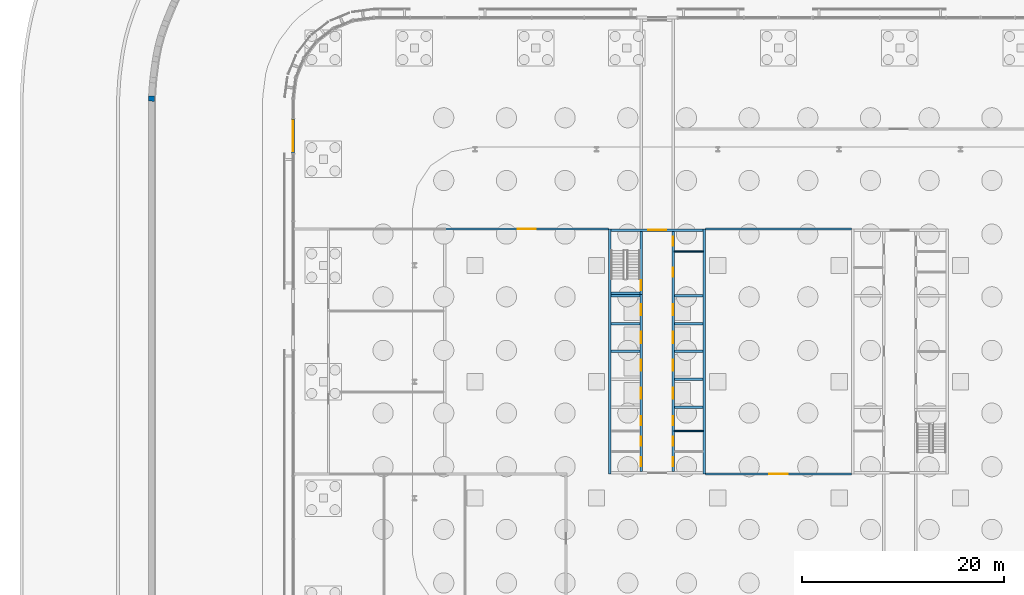
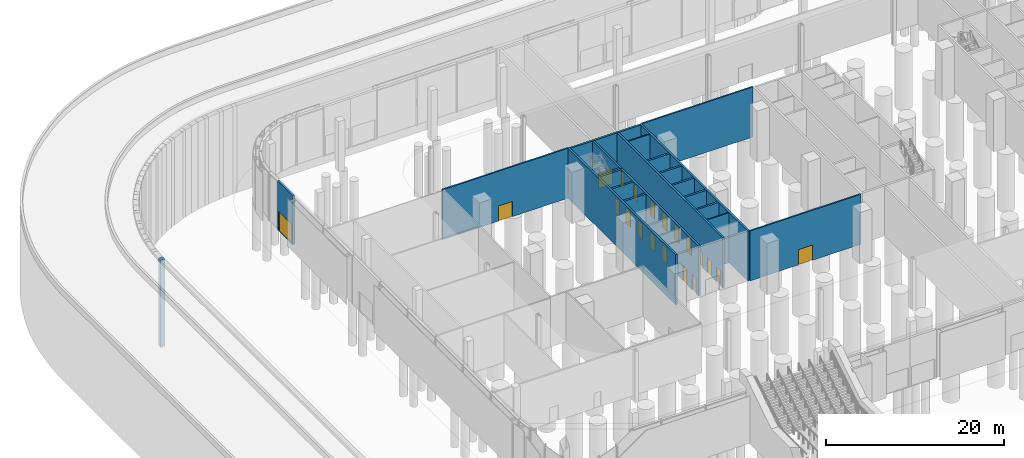
# One storey, part 25 of 48: 22 walls, 21 doors, 21 openings.
"""IFC4 building model written with IfcOpenShell, lengths in metres."""

from ifc_helpers import new_model, si_unit, direction, frame, frame_2d, origin, place, context, subcontext, project, spatial, rectangle, extrude, material, layer, layer_set, type_object, element, fill, save


model = new_model("IFC4")

# Units and contexts
model_context = context("Model", 3, precision=1e-05, world=origin(), true_north=direction((0.0, 1.0)))
body_context = subcontext(model_context, "Body", "Model", "MODEL_VIEW")
ifc_project = project(units=[si_unit("LENGTHUNIT", "METRE"), si_unit("AREAUNIT", "SQUARE_METRE"), si_unit("VOLUMEUNIT", "CUBIC_METRE"), si_unit("PLANEANGLEUNIT", "RADIAN"), si_unit("MASSUNIT", "GRAM", prefix="KILO")], contexts=[model_context])

# Site, building, storey
site_placement = place(None, origin())
site = spatial("IfcSite", under=ifc_project, at=site_placement, CompositionType="ELEMENT")
building_placement = place(site_placement, origin())
building = spatial("IfcBuilding", under=site, at=building_placement, Name="Mahtab Terrace Research Tower", CompositionType="ELEMENT")
storey_placement = place(building_placement, origin())
storey = spatial("IfcBuildingStorey", under=building, at=storey_placement, Name="G", CompositionType="ELEMENT", Elevation=0.0)

# Walls
ifc_material_1 = material(Name="Gypsum board partition")
ifc_layer_1 = layer(ifc_material_1, 0.14990234375)
ifc_layer_set_1 = layer_set([ifc_layer_1], Name="Core partition 150")
wall_type_1 = type_object("IfcWallType", Name="Core partition 150", PredefinedType="PARTITIONING", material=ifc_layer_set_1)
for number, where, z_axis, x_axis, name in (
    (1, (-22.300048828125, -4.875, 0.0), (0.0, 0.0, 1.0), (1.0, 0.0, 0.0), "Core wall A pES-788"),
    (2, (-22.300048828125, 12.875, 0.0), (0.0, 0.0, 1.0), (1.0, 0.0, 0.0), "Core wall A pEN988"),
):
    element("IfcWall", number, at=place(storey_placement, frame(where, z_axis=z_axis, x_axis=x_axis)), inside=storey, type_object=wall_type_1, Name=name, PredefinedType="PARTITIONING", context=body_context, shape_type="SweptSolid", body=[
        extrude(rectangle(XDim=2.85009765625, YDim=0.14990234375, at=frame_2d((1.425048828125, 0.0))), origin(), (0.0, 0.0, 1.0), 6.860107421875),
    ])
ifc_material_2 = material(Name="Concrete C70/85", Category="concrete")
ifc_layer_2 = layer(ifc_material_2, 0.25)
ifc_layer_set_2 = layer_set([ifc_layer_2], Name="Core wall 250")
wall_type_2 = type_object("IfcWallType", Name="Core wall 250", PredefinedType="SOLIDWALL", material=ifc_layer_set_2)
for number, where, z_axis, x_axis, name in (
    (3, (-28.675048828125, 15.125, 0.0), (0.0, 0.0, 1.0), (0.0, -1.0, 0.0), "Core wall A outerW"),
    (4, (-19.324951171875, -9.125, 0.0), (0.0, 0.0, 1.0), (0.0, 1.0, 0.0), "Core wall A outerE"),
):
    element("IfcWall", number, at=place(storey_placement, frame(where, z_axis=z_axis, x_axis=x_axis)), inside=storey, type_object=wall_type_2, Name=name, PredefinedType="SOLIDWALL", context=body_context, shape_type="SweptSolid", body=[
        extrude(rectangle(XDim=24.25, YDim=0.25, at=frame_2d((12.125, 0.0))), origin(), (0.0, 0.0, 1.0), 6.860107421875),
    ])

# Wall, opening, door
wall_1_placement = place(storey_placement, frame((-28.550048828125, 15.0, 0.0), z_axis=(0.0, 0.0, 1.0), x_axis=(1.0, 0.0, 0.0)))
wall_1 = element("IfcWall", 5, at=wall_1_placement, inside=storey, type_object=wall_type_2, Name="Core wall A endN", PredefinedType="SOLIDWALL", context=body_context, shape_type="SweptSolid", body=[
    extrude(rectangle(XDim=9.10009765625, YDim=0.25, at=frame_2d((4.550048828125, 0.0))), origin(), (0.0, 0.0, 1.0), 6.860107421875),
])
opening_1_placement = place(wall_1_placement, frame((3.64990234375, 0.0, 0.0)))
opening_1 = element("IfcOpeningElement", 6, at=opening_1_placement, cuts=wall_1, Name="Opening A-N1", PredefinedType="OPENING", context=body_context, shape_type="SweptSolid", body=[
    extrude(rectangle(XDim=1.800048828125, YDim=2.10009765625, at=frame_2d((0.89990234375, 1.050048828125))), frame((0.0, 0.135009765625, 0.0), z_axis=(0.0, -1.0, 0.0), x_axis=(1.0, 0.0, 0.0)), (0.0, 0.0, 1.0), 0.27001953125),
])
ifc_material_3 = material(Name="Steel fire door", Category="steel")
door_type_1 = type_object("IfcDoorType", Name="Lobby double door 1800x2100 1 HR", OperationType="DOUBLE_DOOR_SINGLE_SWING", PredefinedType="DOOR", material=ifc_material_3)
door_1_placement = place(opening_1_placement, origin())
door_1 = element("IfcDoor", 7, at=door_1_placement, inside=storey, type_object=door_type_1, Name="Core entrance door A N", OperationType="DOUBLE_DOOR_SINGLE_SWING", OverallHeight=2.10009765625, OverallWidth=1.800048828125, PredefinedType="DOOR", context=body_context, shape_type="SweptSolid", body=[
    extrude(rectangle(XDim=1.800048828125, YDim=2.10009765625, at=frame_2d((0.89990234375, 1.050048828125))), frame((0.0, 0.02490234375, 0.0), z_axis=(0.0, -1.0, 0.0), x_axis=(1.0, 0.0, 0.0)), (0.0, 0.0, 1.0), 0.050048828125),
])
fill(opening_1, door_1)

# Wall, openings, doors
wall_2_placement = place(storey_placement, frame((-25.574951171875, -8.875, 0.0), z_axis=(0.0, 0.0, 1.0), x_axis=(0.0, 1.0, 0.0)))
wall_2 = element("IfcWall", 8, at=wall_2_placement, inside=storey, type_object=wall_type_2, Name="Core wall A innerWSL", PredefinedType="SOLIDWALL", context=body_context, shape_type="SweptSolid", body=[
    extrude(rectangle(XDim=17.5, YDim=0.25, at=frame_2d((8.75, 0.0))), origin(), (0.0, 0.0, 1.0), 6.860107421875),
])
opening_2_placement = place(wall_2_placement, frame((7.199951171875, 0.0, 0.0)))
opening_2 = element("IfcOpeningElement", 9, at=opening_2_placement, cuts=wall_2, Name="Opening LD01-G", PredefinedType="OPENING", context=body_context, shape_type="SweptSolid", body=[
    extrude(rectangle(XDim=1.10009765625, YDim=2.10009765625, at=frame_2d((0.550048828125, 1.050048828125))), frame((0.0, 0.135009765625, 0.0), z_axis=(0.0, -1.0, 0.0), x_axis=(1.0, 0.0, 0.0)), (0.0, 0.0, 1.0), 0.27001953125),
])
opening_3_placement = place(wall_2_placement, frame((9.949951171875, 0.0, 0.0)))
opening_3 = element("IfcOpeningElement", 10, at=opening_3_placement, cuts=wall_2, Name="Opening LD02-G", PredefinedType="OPENING", context=body_context, shape_type="SweptSolid", body=[
    extrude(rectangle(XDim=1.10009765625, YDim=2.10009765625, at=frame_2d((0.550048828125, 1.050048828125))), frame((0.0, 0.135009765625, 0.0), z_axis=(0.0, -1.0, 0.0), x_axis=(1.0, 0.0, 0.0)), (0.0, 0.0, 1.0), 0.27001953125),
])
opening_4_placement = place(wall_2_placement, frame((12.699951171875, 0.0, 0.0)))
opening_4 = element("IfcOpeningElement", 11, at=opening_4_placement, cuts=wall_2, Name="Opening LD03-G", PredefinedType="OPENING", context=body_context, shape_type="SweptSolid", body=[
    extrude(rectangle(XDim=1.10009765625, YDim=2.10009765625, at=frame_2d((0.550048828125, 1.050048828125))), frame((0.0, 0.135009765625, 0.0), z_axis=(0.0, -1.0, 0.0), x_axis=(1.0, 0.0, 0.0)), (0.0, 0.0, 1.0), 0.27001953125),
])
opening_5_placement = place(wall_2_placement, frame((15.449951171875, 0.0, 0.0)))
opening_5 = element("IfcOpeningElement", 12, at=opening_5_placement, cuts=wall_2, Name="Opening LD04-G", PredefinedType="OPENING", context=body_context, shape_type="SweptSolid", body=[
    extrude(rectangle(XDim=1.10009765625, YDim=2.10009765625, at=frame_2d((0.550048828125, 1.050048828125))), frame((0.0, 0.135009765625, 0.0), z_axis=(0.0, -1.0, 0.0), x_axis=(1.0, 0.0, 0.0)), (0.0, 0.0, 1.0), 0.27001953125),
])
opening_6_placement = place(wall_2_placement, frame((0.512451171875, 0.0, 0.0)))
opening_6 = element("IfcOpeningElement", 13, at=opening_6_placement, cuts=wall_2, Name="Opening A-R1", PredefinedType="OPENING", context=body_context, shape_type="SweptSolid", body=[
    extrude(rectangle(XDim=0.89990234375, YDim=2.10009765625, at=frame_2d((0.449951171875, 1.050048828125))), frame((0.0, 0.135009765625, 0.0), z_axis=(0.0, -1.0, 0.0), x_axis=(1.0, 0.0, 0.0)), (0.0, 0.0, 1.0), 0.27001953125),
])
opening_7_placement = place(wall_2_placement, frame((2.550048828125, 0.0, 0.0)))
opening_7 = element("IfcOpeningElement", 14, at=opening_7_placement, cuts=wall_2, Name="Opening A-R2", PredefinedType="OPENING", context=body_context, shape_type="SweptSolid", body=[
    extrude(rectangle(XDim=0.89990234375, YDim=2.10009765625, at=frame_2d((0.449951171875, 1.050048828125))), frame((0.0, 0.135009765625, 0.0), z_axis=(0.0, -1.0, 0.0), x_axis=(1.0, 0.0, 0.0)), (0.0, 0.0, 1.0), 0.27001953125),
])
opening_8_placement = place(wall_2_placement, frame((4.58740234375, 0.0, 0.0)))
opening_8 = element("IfcOpeningElement", 15, at=opening_8_placement, cuts=wall_2, Name="Opening A-R3", PredefinedType="OPENING", context=body_context, shape_type="SweptSolid", body=[
    extrude(rectangle(XDim=0.89990234375, YDim=2.10009765625, at=frame_2d((0.449951171875, 1.050048828125))), frame((0.0, 0.135009765625, 0.0), z_axis=(0.0, -1.0, 0.0), x_axis=(1.0, 0.0, 0.0)), (0.0, 0.0, 1.0), 0.27001953125),
])
ifc_material_4 = material(Name="Stainless steel AISI 304", Category="steel")
door_type_2 = type_object("IfcDoorType", Name="Landing door 1100x2100", OperationType="DOUBLE_DOOR_SLIDING", PredefinedType="DOOR", material=ifc_material_4)
door_2_placement = place(opening_2_placement, origin())
door_2 = element("IfcDoor", 16, at=door_2_placement, inside=storey, type_object=door_type_2, Name="Landing door LR1 G", OperationType="DOUBLE_DOOR_SLIDING", OverallHeight=2.10009765625, OverallWidth=1.10009765625, PredefinedType="DOOR", context=body_context, shape_type="SweptSolid", body=[
    extrude(rectangle(XDim=1.10009765625, YDim=2.10009765625, at=frame_2d((0.550048828125, 1.050048828125))), frame((0.0, 0.02490234375, 0.0), z_axis=(0.0, -1.0, 0.0), x_axis=(1.0, 0.0, 0.0)), (0.0, 0.0, 1.0), 0.050048828125),
])
fill(opening_2, door_2)
door_3_placement = place(opening_3_placement, origin())
door_3 = element("IfcDoor", 17, at=door_3_placement, inside=storey, type_object=door_type_2, Name="Landing door LR2 G", OperationType="DOUBLE_DOOR_SLIDING", OverallHeight=2.10009765625, OverallWidth=1.10009765625, PredefinedType="DOOR", context=body_context, shape_type="SweptSolid", body=[
    extrude(rectangle(XDim=1.10009765625, YDim=2.10009765625, at=frame_2d((0.550048828125, 1.050048828125))), frame((0.0, 0.02490234375, 0.0), z_axis=(0.0, -1.0, 0.0), x_axis=(1.0, 0.0, 0.0)), (0.0, 0.0, 1.0), 0.050048828125),
])
fill(opening_3, door_3)
door_4_placement = place(opening_4_placement, origin())
door_4 = element("IfcDoor", 18, at=door_4_placement, inside=storey, type_object=door_type_2, Name="Landing door LR3 G", OperationType="DOUBLE_DOOR_SLIDING", OverallHeight=2.10009765625, OverallWidth=1.10009765625, PredefinedType="DOOR", context=body_context, shape_type="SweptSolid", body=[
    extrude(rectangle(XDim=1.10009765625, YDim=2.10009765625, at=frame_2d((0.550048828125, 1.050048828125))), frame((0.0, 0.02490234375, 0.0), z_axis=(0.0, -1.0, 0.0), x_axis=(1.0, 0.0, 0.0)), (0.0, 0.0, 1.0), 0.050048828125),
])
fill(opening_4, door_4)
door_5_placement = place(opening_5_placement, origin())
door_5 = element("IfcDoor", 19, at=door_5_placement, inside=storey, type_object=door_type_2, Name="Landing door LR4 G", OperationType="DOUBLE_DOOR_SLIDING", OverallHeight=2.10009765625, OverallWidth=1.10009765625, PredefinedType="DOOR", context=body_context, shape_type="SweptSolid", body=[
    extrude(rectangle(XDim=1.10009765625, YDim=2.10009765625, at=frame_2d((0.550048828125, 1.050048828125))), frame((0.0, 0.02490234375, 0.0), z_axis=(0.0, -1.0, 0.0), x_axis=(1.0, 0.0, 0.0)), (0.0, 0.0, 1.0), 0.050048828125),
])
fill(opening_5, door_5)
door_type_3 = type_object("IfcDoorType", Name="Room door 900x2100 1 HR", OperationType="NOTDEFINED", PredefinedType="DOOR", material=ifc_material_3)
door_6_placement = place(opening_6_placement, origin())
door_6 = element("IfcDoor", 20, at=door_6_placement, inside=storey, type_object=door_type_3, Name="Male WC door", OperationType="SINGLE_SWING_LEFT", OverallHeight=2.10009765625, OverallWidth=0.89990234375, PredefinedType="DOOR", context=body_context, shape_type="SweptSolid", body=[
    extrude(rectangle(XDim=0.89990234375, YDim=2.10009765625, at=frame_2d((0.449951171875, 1.050048828125))), frame((0.0, 0.02490234375, 0.0), z_axis=(0.0, -1.0, 0.0), x_axis=(1.0, 0.0, 0.0)), (0.0, 0.0, 1.0), 0.050048828125),
])
fill(opening_6, door_6)
door_7_placement = place(opening_7_placement, origin())
door_7 = element("IfcDoor", 21, at=door_7_placement, inside=storey, type_object=door_type_3, Name="Female WC door", OperationType="SINGLE_SWING_RIGHT", OverallHeight=2.10009765625, OverallWidth=0.89990234375, PredefinedType="DOOR", context=body_context, shape_type="SweptSolid", body=[
    extrude(rectangle(XDim=0.89990234375, YDim=2.10009765625, at=frame_2d((0.449951171875, 1.050048828125))), frame((0.0, 0.02490234375, 0.0), z_axis=(0.0, -1.0, 0.0), x_axis=(1.0, 0.0, 0.0)), (0.0, 0.0, 1.0), 0.050048828125),
])
fill(opening_7, door_7)
door_8_placement = place(opening_8_placement, origin())
door_8 = element("IfcDoor", 22, at=door_8_placement, inside=storey, type_object=door_type_3, Name="Accessible WC door", OperationType="SINGLE_SWING_LEFT", OverallHeight=2.10009765625, OverallWidth=0.89990234375, PredefinedType="DOOR", context=body_context, shape_type="SweptSolid", body=[
    extrude(rectangle(XDim=0.89990234375, YDim=2.10009765625, at=frame_2d((0.449951171875, 1.050048828125))), frame((0.0, 0.02490234375, 0.0), z_axis=(0.0, -1.0, 0.0), x_axis=(1.0, 0.0, 0.0)), (0.0, 0.0, 1.0), 0.050048828125),
])
fill(opening_8, door_8)

# Wall, opening, door
wall_3_placement = place(storey_placement, frame((-25.574951171875, 14.875, 0.0), z_axis=(0.0, 0.0, 1.0), x_axis=(0.0, -1.0, 0.0)))
wall_3 = element("IfcWall", 23, at=wall_3_placement, inside=storey, type_object=wall_type_2, Name="Core wall A innerWN", PredefinedType="SOLIDWALL", context=body_context, shape_type="SweptSolid", body=[
    extrude(rectangle(XDim=6.25, YDim=0.25, at=frame_2d((3.125, 0.0))), origin(), (0.0, 0.0, 1.0), 6.860107421875),
])
opening_9_placement = place(wall_3_placement, frame((4.85009765625, 0.0, 0.0)))
opening_9 = element("IfcOpeningElement", 24, at=opening_9_placement, cuts=wall_3, Name="Opening A-ST1", PredefinedType="OPENING", context=body_context, shape_type="SweptSolid", body=[
    extrude(rectangle(XDim=1.0, YDim=2.10009765625, at=frame_2d((0.5, 1.050048828125))), frame((0.0, 0.135009765625, 0.0), z_axis=(0.0, -1.0, 0.0), x_axis=(1.0, 0.0, 0.0)), (0.0, 0.0, 1.0), 0.27001953125),
])
door_type_4 = type_object("IfcDoorType", Name="Stair door 1000x2100 1.5 HR", OperationType="NOTDEFINED", PredefinedType="DOOR", material=ifc_material_3)
door_9_placement = place(opening_9_placement, origin())
door_9 = element("IfcDoor", 25, at=door_9_placement, inside=storey, type_object=door_type_4, Name="Stair door ST1 G", OperationType="SINGLE_SWING_LEFT", OverallHeight=2.10009765625, OverallWidth=1.0, PredefinedType="DOOR", context=body_context, shape_type="SweptSolid", body=[
    extrude(rectangle(XDim=1.0, YDim=2.10009765625, at=frame_2d((0.5, 1.050048828125))), frame((0.0, 0.02490234375, 0.0), z_axis=(0.0, -1.0, 0.0), x_axis=(1.0, 0.0, 0.0)), (0.0, 0.0, 1.0), 0.050048828125),
])
fill(opening_9, door_9)

# Wall, openings, doors
wall_4_placement = place(storey_placement, frame((-22.425048828125, 14.875, 0.0), z_axis=(0.0, 0.0, 1.0), x_axis=(0.0, -1.0, 0.0)))
wall_4 = element("IfcWall", 26, at=wall_4_placement, inside=storey, type_object=wall_type_2, Name="Core wall A innerESLN", PredefinedType="SOLIDWALL", context=body_context, shape_type="SweptSolid", body=[
    extrude(rectangle(XDim=23.75, YDim=0.25, at=frame_2d((11.875, 0.0))), origin(), (0.0, 0.0, 1.0), 6.860107421875),
])
opening_10_placement = place(wall_4_placement, frame((15.449951171875, 0.0, 0.0)))
opening_10 = element("IfcOpeningElement", 27, at=opening_10_placement, cuts=wall_4, Name="Opening LD05-G", PredefinedType="OPENING", context=body_context, shape_type="SweptSolid", body=[
    extrude(rectangle(XDim=1.10009765625, YDim=2.10009765625, at=frame_2d((0.550048828125, 1.050048828125))), frame((0.0, 0.135009765625, 0.0), z_axis=(0.0, -1.0, 0.0), x_axis=(1.0, 0.0, 0.0)), (0.0, 0.0, 1.0), 0.27001953125),
])
opening_11_placement = place(wall_4_placement, frame((12.699951171875, 0.0, 0.0)))
opening_11 = element("IfcOpeningElement", 28, at=opening_11_placement, cuts=wall_4, Name="Opening LD06-G", PredefinedType="OPENING", context=body_context, shape_type="SweptSolid", body=[
    extrude(rectangle(XDim=1.10009765625, YDim=2.10009765625, at=frame_2d((0.550048828125, 1.050048828125))), frame((0.0, 0.135009765625, 0.0), z_axis=(0.0, -1.0, 0.0), x_axis=(1.0, 0.0, 0.0)), (0.0, 0.0, 1.0), 0.27001953125),
])
opening_12_placement = place(wall_4_placement, frame((9.949951171875, 0.0, 0.0)))
opening_12 = element("IfcOpeningElement", 29, at=opening_12_placement, cuts=wall_4, Name="Opening LD07-G", PredefinedType="OPENING", context=body_context, shape_type="SweptSolid", body=[
    extrude(rectangle(XDim=1.10009765625, YDim=2.10009765625, at=frame_2d((0.550048828125, 1.050048828125))), frame((0.0, 0.135009765625, 0.0), z_axis=(0.0, -1.0, 0.0), x_axis=(1.0, 0.0, 0.0)), (0.0, 0.0, 1.0), 0.27001953125),
])
opening_13_placement = place(wall_4_placement, frame((7.199951171875, 0.0, 0.0)))
opening_13 = element("IfcOpeningElement", 30, at=opening_13_placement, cuts=wall_4, Name="Opening LD08-G", PredefinedType="OPENING", context=body_context, shape_type="SweptSolid", body=[
    extrude(rectangle(XDim=1.10009765625, YDim=2.10009765625, at=frame_2d((0.550048828125, 1.050048828125))), frame((0.0, 0.135009765625, 0.0), z_axis=(0.0, -1.0, 0.0), x_axis=(1.0, 0.0, 0.0)), (0.0, 0.0, 1.0), 0.27001953125),
])
opening_14_placement = place(wall_4_placement, frame((22.33740234375, 0.0, 0.0)))
opening_14 = element("IfcOpeningElement", 31, at=opening_14_placement, cuts=wall_4, Name="Opening A-R4", PredefinedType="OPENING", context=body_context, shape_type="SweptSolid", body=[
    extrude(rectangle(XDim=0.89990234375, YDim=2.10009765625, at=frame_2d((0.449951171875, 1.050048828125))), frame((0.0, 0.135009765625, 0.0), z_axis=(0.0, -1.0, 0.0), x_axis=(1.0, 0.0, 0.0)), (0.0, 0.0, 1.0), 0.27001953125),
])
opening_15_placement = place(wall_4_placement, frame((20.300048828125, 0.0, 0.0)))
opening_15 = element("IfcOpeningElement", 32, at=opening_15_placement, cuts=wall_4, Name="Opening A-R5", PredefinedType="OPENING", context=body_context, shape_type="SweptSolid", body=[
    extrude(rectangle(XDim=0.89990234375, YDim=2.10009765625, at=frame_2d((0.449951171875, 1.050048828125))), frame((0.0, 0.135009765625, 0.0), z_axis=(0.0, -1.0, 0.0), x_axis=(1.0, 0.0, 0.0)), (0.0, 0.0, 1.0), 0.27001953125),
])
opening_16_placement = place(wall_4_placement, frame((18.262451171875, 0.0, 0.0)))
opening_16 = element("IfcOpeningElement", 33, at=opening_16_placement, cuts=wall_4, Name="Opening A-R6", PredefinedType="OPENING", context=body_context, shape_type="SweptSolid", body=[
    extrude(rectangle(XDim=0.89990234375, YDim=2.10009765625, at=frame_2d((0.449951171875, 1.050048828125))), frame((0.0, 0.135009765625, 0.0), z_axis=(0.0, -1.0, 0.0), x_axis=(1.0, 0.0, 0.0)), (0.0, 0.0, 1.0), 0.27001953125),
])
opening_17_placement = place(wall_4_placement, frame((3.58740234375, 0.0, 0.0)))
opening_17 = element("IfcOpeningElement", 34, at=opening_17_placement, cuts=wall_4, Name="Opening A-R7", PredefinedType="OPENING", context=body_context, shape_type="SweptSolid", body=[
    extrude(rectangle(XDim=0.89990234375, YDim=2.10009765625, at=frame_2d((0.449951171875, 1.050048828125))), frame((0.0, 0.135009765625, 0.0), z_axis=(0.0, -1.0, 0.0), x_axis=(1.0, 0.0, 0.0)), (0.0, 0.0, 1.0), 0.27001953125),
])
opening_18_placement = place(wall_4_placement, frame((0.512451171875, 0.0, 0.0)))
opening_18 = element("IfcOpeningElement", 35, at=opening_18_placement, cuts=wall_4, Name="Opening A-R8", PredefinedType="OPENING", context=body_context, shape_type="SweptSolid", body=[
    extrude(rectangle(XDim=0.89990234375, YDim=2.10009765625, at=frame_2d((0.449951171875, 1.050048828125))), frame((0.0, 0.135009765625, 0.0), z_axis=(0.0, -1.0, 0.0), x_axis=(1.0, 0.0, 0.0)), (0.0, 0.0, 1.0), 0.27001953125),
])
door_10_placement = place(opening_10_placement, origin())
door_10 = element("IfcDoor", 36, at=door_10_placement, inside=storey, type_object=door_type_2, Name="Landing door LR5 G", OperationType="DOUBLE_DOOR_SLIDING", OverallHeight=2.10009765625, OverallWidth=1.10009765625, PredefinedType="DOOR", context=body_context, shape_type="SweptSolid", body=[
    extrude(rectangle(XDim=1.10009765625, YDim=2.10009765625, at=frame_2d((0.550048828125, 1.050048828125))), frame((0.0, 0.02490234375, 0.0), z_axis=(0.0, -1.0, 0.0), x_axis=(1.0, 0.0, 0.0)), (0.0, 0.0, 1.0), 0.050048828125),
])
fill(opening_10, door_10)
door_11_placement = place(opening_11_placement, origin())
door_11 = element("IfcDoor", 37, at=door_11_placement, inside=storey, type_object=door_type_2, Name="Landing door LR6 G", OperationType="DOUBLE_DOOR_SLIDING", OverallHeight=2.10009765625, OverallWidth=1.10009765625, PredefinedType="DOOR", context=body_context, shape_type="SweptSolid", body=[
    extrude(rectangle(XDim=1.10009765625, YDim=2.10009765625, at=frame_2d((0.550048828125, 1.050048828125))), frame((0.0, 0.02490234375, 0.0), z_axis=(0.0, -1.0, 0.0), x_axis=(1.0, 0.0, 0.0)), (0.0, 0.0, 1.0), 0.050048828125),
])
fill(opening_11, door_11)
door_12_placement = place(opening_12_placement, origin())
door_12 = element("IfcDoor", 38, at=door_12_placement, inside=storey, type_object=door_type_2, Name="Landing door SH1 G", OperationType="DOUBLE_DOOR_SLIDING", OverallHeight=2.10009765625, OverallWidth=1.10009765625, PredefinedType="DOOR", context=body_context, shape_type="SweptSolid", body=[
    extrude(rectangle(XDim=1.10009765625, YDim=2.10009765625, at=frame_2d((0.550048828125, 1.050048828125))), frame((0.0, 0.02490234375, 0.0), z_axis=(0.0, -1.0, 0.0), x_axis=(1.0, 0.0, 0.0)), (0.0, 0.0, 1.0), 0.050048828125),
])
fill(opening_12, door_12)
door_13_placement = place(opening_13_placement, origin())
door_13 = element("IfcDoor", 39, at=door_13_placement, inside=storey, type_object=door_type_2, Name="Landing door SH2 G", OperationType="DOUBLE_DOOR_SLIDING", OverallHeight=2.10009765625, OverallWidth=1.10009765625, PredefinedType="DOOR", context=body_context, shape_type="SweptSolid", body=[
    extrude(rectangle(XDim=1.10009765625, YDim=2.10009765625, at=frame_2d((0.550048828125, 1.050048828125))), frame((0.0, 0.02490234375, 0.0), z_axis=(0.0, -1.0, 0.0), x_axis=(1.0, 0.0, 0.0)), (0.0, 0.0, 1.0), 0.050048828125),
])
fill(opening_13, door_13)
door_14_placement = place(opening_14_placement, origin())
door_14 = element("IfcDoor", 40, at=door_14_placement, inside=storey, type_object=door_type_3, Name="Comms riser room door", OperationType="SINGLE_SWING_RIGHT", OverallHeight=2.10009765625, OverallWidth=0.89990234375, PredefinedType="DOOR", context=body_context, shape_type="SweptSolid", body=[
    extrude(rectangle(XDim=0.89990234375, YDim=2.10009765625, at=frame_2d((0.449951171875, 1.050048828125))), frame((0.0, 0.02490234375, 0.0), z_axis=(0.0, -1.0, 0.0), x_axis=(1.0, 0.0, 0.0)), (0.0, 0.0, 1.0), 0.050048828125),
])
fill(opening_14, door_14)
door_15_placement = place(opening_15_placement, origin())
door_15 = element("IfcDoor", 41, at=door_15_placement, inside=storey, type_object=door_type_3, Name="Pantry door", OperationType="SINGLE_SWING_LEFT", OverallHeight=2.10009765625, OverallWidth=0.89990234375, PredefinedType="DOOR", context=body_context, shape_type="SweptSolid", body=[
    extrude(rectangle(XDim=0.89990234375, YDim=2.10009765625, at=frame_2d((0.449951171875, 1.050048828125))), frame((0.0, 0.02490234375, 0.0), z_axis=(0.0, -1.0, 0.0), x_axis=(1.0, 0.0, 0.0)), (0.0, 0.0, 1.0), 0.050048828125),
])
fill(opening_15, door_15)
door_16_placement = place(opening_16_placement, origin())
door_16 = element("IfcDoor", 42, at=door_16_placement, inside=storey, type_object=door_type_3, Name="Cleaners store door", OperationType="SINGLE_SWING_RIGHT", OverallHeight=2.10009765625, OverallWidth=0.89990234375, PredefinedType="DOOR", context=body_context, shape_type="SweptSolid", body=[
    extrude(rectangle(XDim=0.89990234375, YDim=2.10009765625, at=frame_2d((0.449951171875, 1.050048828125))), frame((0.0, 0.02490234375, 0.0), z_axis=(0.0, -1.0, 0.0), x_axis=(1.0, 0.0, 0.0)), (0.0, 0.0, 1.0), 0.050048828125),
])
fill(opening_16, door_16)
door_17_placement = place(opening_17_placement, origin())
door_17 = element("IfcDoor", 43, at=door_17_placement, inside=storey, type_object=door_type_3, Name="IT equipment room door", OperationType="SINGLE_SWING_LEFT", OverallHeight=2.10009765625, OverallWidth=0.89990234375, PredefinedType="DOOR", context=body_context, shape_type="SweptSolid", body=[
    extrude(rectangle(XDim=0.89990234375, YDim=2.10009765625, at=frame_2d((0.449951171875, 1.050048828125))), frame((0.0, 0.02490234375, 0.0), z_axis=(0.0, -1.0, 0.0), x_axis=(1.0, 0.0, 0.0)), (0.0, 0.0, 1.0), 0.050048828125),
])
fill(opening_17, door_17)
door_18_placement = place(opening_18_placement, origin())
door_18 = element("IfcDoor", 44, at=door_18_placement, inside=storey, type_object=door_type_3, Name="Electrical riser room door", OperationType="SINGLE_SWING_RIGHT", OverallHeight=2.10009765625, OverallWidth=0.89990234375, PredefinedType="DOOR", context=body_context, shape_type="SweptSolid", body=[
    extrude(rectangle(XDim=0.89990234375, YDim=2.10009765625, at=frame_2d((0.449951171875, 1.050048828125))), frame((0.0, 0.02490234375, 0.0), z_axis=(0.0, -1.0, 0.0), x_axis=(1.0, 0.0, 0.0)), (0.0, 0.0, 1.0), 0.050048828125),
])
fill(opening_18, door_18)

# Walls
for number, where, z_axis, x_axis, name in (
    (45, (-28.550048828125, 3.0, 0.0), (0.0, 0.0, 1.0), (1.0, 0.0, 0.0), "Core wall A divW2"),
    (46, (-28.550048828125, 5.75, 0.0), (0.0, 0.0, 1.0), (1.0, 0.0, 0.0), "Core wall A divW3"),
    (47, (-28.550048828125, 8.5, 0.0), (0.0, 0.0, 1.0), (1.0, 0.0, 0.0), "Core wall A divW4"),
    (48, (-22.300048828125, -2.5, 0.0), (0.0, 0.0, 1.0), (1.0, 0.0, 0.0), "Core wall A divE0"),
    (49, (-22.300048828125, 0.25, 0.0), (0.0, 0.0, 1.0), (1.0, 0.0, 0.0), "Core wall A divE1"),
    (50, (-22.300048828125, 3.0, 0.0), (0.0, 0.0, 1.0), (1.0, 0.0, 0.0), "Core wall A divE2"),
    (51, (-22.300048828125, 5.75, 0.0), (0.0, 0.0, 1.0), (1.0, 0.0, 0.0), "Core wall A divE3"),
    (52, (-22.300048828125, 8.5, 0.0), (0.0, 0.0, 1.0), (1.0, 0.0, 0.0), "Core wall A divE4"),
    (53, (-28.550048828125, 8.75, 0.0), (0.0, 0.0, 1.0), (1.0, 0.0, 0.0), "Core wall A stairendST1"),
):
    element("IfcWall", number, at=place(storey_placement, frame(where, z_axis=z_axis, x_axis=x_axis)), inside=storey, type_object=wall_type_2, Name=name, PredefinedType="SOLIDWALL", context=body_context, shape_type="SweptSolid", body=[
        extrude(rectangle(XDim=2.85009765625, YDim=0.25, at=frame_2d((1.425048828125, 0.0))), origin(), (0.0, 0.0, 1.0), 6.860107421875),
    ])

# Wall, opening, door
ifc_material_5 = material(Name="Precast concrete C40/50", Category="concrete")
ifc_layer_3 = layer(ifc_material_5, 0.300048828125)
ifc_layer_set_3 = layer_set([ifc_layer_3], Name="Ground facade infill wall 300")
wall_type_3 = type_object("IfcWallType", Name="Ground facade infill wall 300", PredefinedType="NOTDEFINED", material=ifc_layer_set_3)
wall_5_placement = place(storey_placement, frame((-60.0, 22.60009765625, 0.0), z_axis=(0.0, 0.0, 1.0), x_axis=(0.0, 1.0, 0.0)))
wall_5 = element("IfcWall", 54, at=wall_5_placement, inside=storey, type_object=wall_type_3, Name="Ground facade wall Auditorium side exit 1", PredefinedType="NOTDEFINED", context=body_context, shape_type="SweptSolid", body=[
    extrude(rectangle(XDim=3.39990234375, YDim=0.300048828125, at=frame_2d((1.699951171875, 0.0))), origin(), (0.0, 0.0, 1.0), 6.699951171875),
])
opening_19_placement = place(wall_5_placement, frame((0.199951171875, 0.0, 0.0)))
opening_19 = element("IfcOpeningElement", 55, at=opening_19_placement, cuts=wall_5, Name="Opening ED2", PredefinedType="OPENING", context=body_context, shape_type="SweptSolid", body=[
    extrude(rectangle(XDim=3.0, YDim=2.699951171875, at=frame_2d((1.5, 1.35009765625))), frame((0.0, 0.159912109375, 0.0), z_axis=(0.0, -1.0, 0.0), x_axis=(1.0, 0.0, 0.0)), (0.0, 0.0, 1.0), 0.320068359375),
])
ifc_material_6 = material(Name="Black anodised aluminium", Category="aluminium")
door_type_5 = type_object("IfcDoorType", Name="Entrance double door 3000x2700", OperationType="DOUBLE_DOOR_DOUBLE_SWING", PredefinedType="DOOR", material=ifc_material_6)
door_19_placement = place(opening_19_placement, origin())
door_19 = element("IfcDoor", 56, at=door_19_placement, inside=storey, type_object=door_type_5, Name="Auditorium side exit 1", OperationType="SINGLE_SWING_LEFT", OverallHeight=2.699951171875, OverallWidth=3.0, PredefinedType="DOOR", context=body_context, shape_type="SweptSolid", body=[
    extrude(rectangle(XDim=3.0, YDim=2.699951171875, at=frame_2d((1.5, 1.35009765625))), frame((0.0, 0.02490234375, 0.0), z_axis=(0.0, -1.0, 0.0), x_axis=(1.0, 0.0, 0.0)), (0.0, 0.0, 1.0), 0.050048828125),
])
fill(opening_19, door_19)

# Wall
ifc_material_7 = material(Name="Concrete C32/40", Category="concrete")
ifc_layer_4 = layer(ifc_material_7, 0.60009765625)
ifc_layer_set_4 = layer_set([ifc_layer_4], Name="Site retaining wall 600")
wall_type_4 = type_object("IfcWallType", Name="Site retaining wall 600", PredefinedType="SOLIDWALL", material=ifc_layer_set_4)
wall_6_placement = place(storey_placement, frame((-74.0, 27.738037109375, -12.25), z_axis=(0.0, 0.0, 1.0), x_axis=(0.032601486541, 0.999468430254, 0.0)))
element("IfcWall", 57, at=wall_6_placement, inside=storey, type_object=wall_type_4, Name="Site retaining wall 243", PredefinedType="SOLIDWALL", context=body_context, shape_type="SweptSolid", body=[
    extrude(rectangle(XDim=0.524169921875, YDim=0.60009765625, at=frame_2d((0.26220703125, 0.0))), origin(), (0.0, 0.0, 1.0), 11.93994140625),
])

# Wall, opening, door
ifc_material_8 = material(Name="Gypsum board corridor wall on steel studs", Category="steel")
ifc_layer_5 = layer(ifc_material_8, 0.199951171875)
ifc_layer_set_5 = layer_set([ifc_layer_5], Name="WALL CORRIDOR 200")
wall_type_5 = type_object("IfcWallType", Name="WALL CORRIDOR 200", PredefinedType="PARTITIONING", material=ifc_layer_set_5)
wall_7_placement = place(storey_placement, frame((-19.199951171875, -9.125, 0.0), z_axis=(0.0, 0.0, 1.0), x_axis=(1.0, 0.0, 0.0)))
wall_7 = element("IfcWall", 58, at=wall_7_placement, inside=storey, type_object=wall_type_5, Name="G-W009", PredefinedType="PARTITIONING", context=body_context, shape_type="SweptSolid", body=[
    extrude(rectangle(XDim=14.39990234375, YDim=0.199951171875, at=frame_2d((7.199951171875, 0.0))), origin(), (0.0, 0.0, 1.0), 6.860107421875),
])
opening_20_placement = place(wall_7_placement, frame((6.300048828125, 0.0, 0.0)))
opening_20 = element("IfcOpeningElement", 59, at=opening_20_placement, cuts=wall_7, Name="Opening G-112", PredefinedType="OPENING", context=body_context, shape_type="SweptSolid", body=[
    extrude(rectangle(XDim=1.800048828125, YDim=2.10009765625, at=frame_2d((0.89990234375, 1.050048828125))), frame((0.0, 0.10986328125, 0.0), z_axis=(0.0, -1.0, 0.0), x_axis=(1.0, 0.0, 0.0)), (0.0, 0.0, 1.0), 0.219970703125),
])
ifc_material_9 = material(Name="Timber door leaf in steel frame", Category="steel")
door_type_6 = type_object("IfcDoorType", Name="DOOR 1800X2100 FD30S", OperationType="DOUBLE_DOOR_SINGLE_SWING", PredefinedType="DOOR", material=ifc_material_9)
door_20_placement = place(opening_20_placement, origin())
door_20 = element("IfcDoor", 60, at=door_20_placement, inside=storey, type_object=door_type_6, Name="Door G-112", OperationType="DOUBLE_DOOR_SINGLE_SWING", OverallHeight=2.10009765625, OverallWidth=1.800048828125, PredefinedType="DOOR", context=body_context, shape_type="SweptSolid", body=[
    extrude(rectangle(XDim=1.800048828125, YDim=2.10009765625, at=frame_2d((0.89990234375, 1.050048828125))), frame((0.0, 0.02490234375, 0.0), z_axis=(0.0, -1.0, 0.0), x_axis=(1.0, 0.0, 0.0)), (0.0, 0.0, 1.0), 0.050048828125),
])
fill(opening_20, door_20)

wall_8_placement = place(storey_placement, frame((-45.10009765625, 15.125, 0.0), z_axis=(0.0, 0.0, 1.0), x_axis=(1.0, 0.0, 0.0)))
wall_8 = element("IfcWall", 61, at=wall_8_placement, inside=storey, type_object=wall_type_5, Name="G-W017", PredefinedType="PARTITIONING", context=body_context, shape_type="SweptSolid", body=[
    extrude(rectangle(XDim=16.300048828125, YDim=0.199951171875, at=frame_2d((8.14990234375, 0.0))), origin(), (0.0, 0.0, 1.0), 6.860107421875),
])
opening_21_placement = place(wall_8_placement, frame((7.300048828125, 0.0, 0.0)))
opening_21 = element("IfcOpeningElement", 62, at=opening_21_placement, cuts=wall_8, Name="Opening G-117", PredefinedType="OPENING", context=body_context, shape_type="SweptSolid", body=[
    extrude(rectangle(XDim=1.800048828125, YDim=2.10009765625, at=frame_2d((0.89990234375, 1.050048828125))), frame((0.0, 0.10986328125, 0.0), z_axis=(0.0, -1.0, 0.0), x_axis=(1.0, 0.0, 0.0)), (0.0, 0.0, 1.0), 0.219970703125),
])
door_21_placement = place(opening_21_placement, origin())
door_21 = element("IfcDoor", 63, at=door_21_placement, inside=storey, type_object=door_type_6, Name="Door G-117", OperationType="DOUBLE_DOOR_SINGLE_SWING", OverallHeight=2.10009765625, OverallWidth=1.800048828125, PredefinedType="DOOR", context=body_context, shape_type="SweptSolid", body=[
    extrude(rectangle(XDim=1.800048828125, YDim=2.10009765625, at=frame_2d((0.89990234375, 1.050048828125))), frame((0.0, 0.02490234375, 0.0), z_axis=(0.0, -1.0, 0.0), x_axis=(1.0, 0.0, 0.0)), (0.0, 0.0, 1.0), 0.050048828125),
])
fill(opening_21, door_21)

# Wall
wall_9_placement = place(storey_placement, frame((-19.199951171875, 15.125, 0.0), z_axis=(0.0, 0.0, 1.0), x_axis=(1.0, 0.0, 0.0)))
element("IfcWall", 64, at=wall_9_placement, inside=storey, type_object=wall_type_5, Name="G-W018", PredefinedType="PARTITIONING", context=body_context, shape_type="SweptSolid", body=[
    extrude(rectangle(XDim=14.39990234375, YDim=0.199951171875, at=frame_2d((7.199951171875, 0.0))), origin(), (0.0, 0.0, 1.0), 6.860107421875),
])

save(model, "model.ifc")
